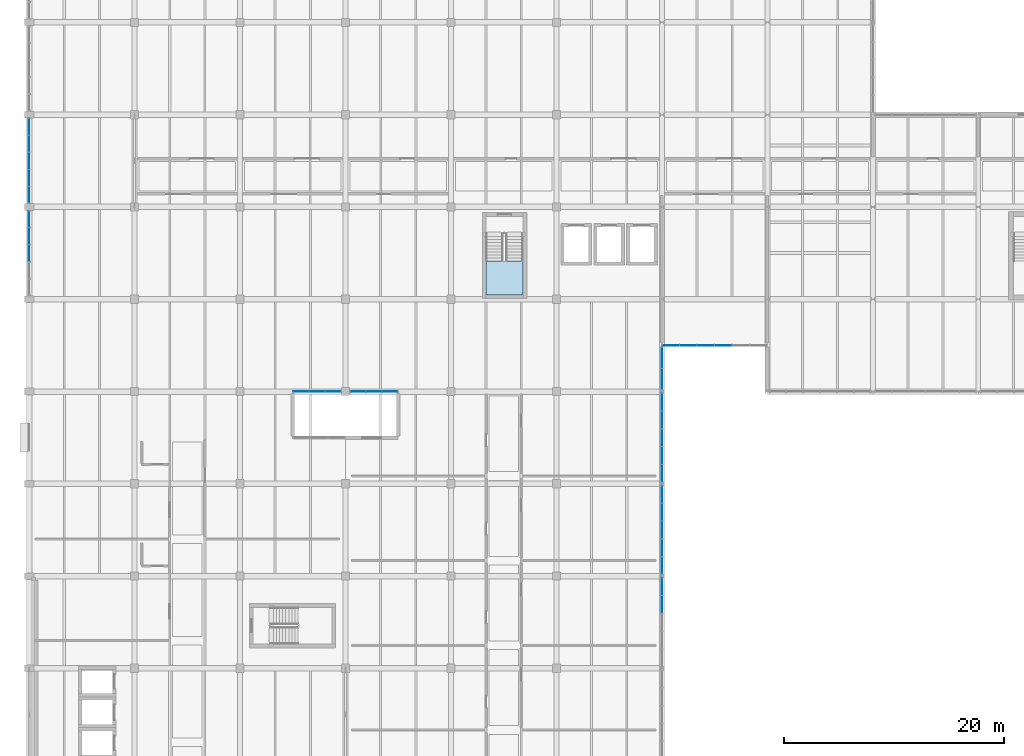
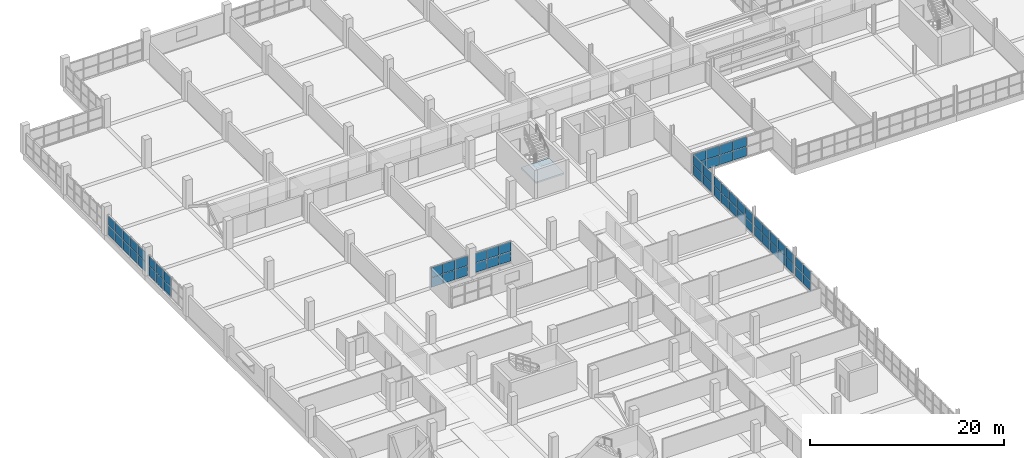
# One storey, part 94 of 147: 64 plates, 1 slab, 10 elements without a shape of their own.
"""IFC4 building model written with IfcOpenShell, lengths in metres."""

from ifc_helpers import new_model, si_unit, direction, frame, origin, origin_2d, place, context, subcontext, project, spatial, polyline, rectangle, outline, extrude, material, layer, layer_set, type_object, element, aggregate, save


model = new_model("IFC4")

# Units and contexts
model_context = context("Model", 3, precision=1e-05, world=origin(), true_north=direction((0.0, 1.0)))
body_context = subcontext(model_context, "Body", "Model", "MODEL_VIEW")
ifc_project = project(units=[si_unit("LENGTHUNIT", "METRE"), si_unit("AREAUNIT", "SQUARE_METRE"), si_unit("VOLUMEUNIT", "CUBIC_METRE"), si_unit("PLANEANGLEUNIT", "RADIAN"), si_unit("MASSUNIT", "GRAM", prefix="KILO")], contexts=[model_context])

# Site, building, storey
site_placement = place(None, origin())
site = spatial("IfcSite", under=ifc_project, at=site_placement, CompositionType="ELEMENT")
building_placement = place(site_placement, origin())
building = spatial("IfcBuilding", under=site, at=building_placement, Name="Oolite Switchyard Hospital", CompositionType="ELEMENT")
storey_placement = place(building_placement, frame((0.0, 0.0, 9.89990234375)))
storey = spatial("IfcBuildingStorey", under=building, at=storey_placement, Name="L02", CompositionType="ELEMENT", Elevation=9.89990234375)

# Curtain wall, plates
ifc_material_1 = material(Name="Thermally broken aluminum frame with laminated impact glazing", Category="aluminium")
curtain_wall_type_1 = type_object("IfcCurtainWallType", Name="CW-UNIT-84X36", PredefinedType="USERDEFINED", material=ifc_material_1)
curtain_wall_1_placement = place(storey_placement, origin())
curtain_wall_1 = element("IfcCurtainWall", 1, at=curtain_wall_1_placement, inside=storey, type_object=curtain_wall_type_1, Name="L02 Unitised Curtain Wall 250", ObjectType="UNITISED", PredefinedType="USERDEFINED")
ifc_material_2 = material(Name="Insulated fluoropolymer-coated aluminum spandrel panel", Category="aluminium")
ifc_layer_1 = layer(ifc_material_2, 0.054931640625)
ifc_layer_set_1 = layer_set([ifc_layer_1], Name="CW-PNL-SPN55")
plate_type_1 = type_object("IfcPlateType", Name="CW-PNL-SPN55", PredefinedType="CURTAIN_PANEL", material=ifc_layer_set_1)
plate_1_placement = place(storey_placement, frame((27.659912109375, 84.0, 0.06005859375), z_axis=(0.0, 0.0, 1.0), x_axis=(-1.0, 0.0, 0.0)))
plate_1 = element("IfcPlate", 2, at=plate_1_placement, type_object=plate_type_1, Name="CW-08 panel 1.1", PredefinedType="CURTAIN_PANEL", context=body_context, shape_type="SweptSolid", body=[
    extrude(rectangle(XDim=1.3798828125, YDim=0.054931640625, at=origin_2d()), origin(), (0.0, 0.0, 1.0), 1.195068359375),
])
plate_2_placement = place(storey_placement, frame((27.659912109375, 84.0, 1.31494140625), z_axis=(0.0, 0.0, 1.0), x_axis=(-1.0, 0.0, 0.0)))
plate_2 = element("IfcPlate", 3, at=plate_2_placement, type_object=plate_type_1, Name="CW-08 panel 1.2", PredefinedType="CURTAIN_PANEL", context=body_context, shape_type="SweptSolid", body=[
    extrude(rectangle(XDim=1.3798828125, YDim=0.054931640625, at=origin_2d()), origin(), (0.0, 0.0, 1.0), 1.195068359375),
])
plate_3_placement = place(storey_placement, frame((26.205078125, 84.0, 0.06005859375), z_axis=(0.0, 0.0, 1.0), x_axis=(-1.0, 0.0, 0.0)))
plate_3 = element("IfcPlate", 4, at=plate_3_placement, type_object=plate_type_1, Name="CW-08 panel 2.1", PredefinedType="CURTAIN_PANEL", context=body_context, shape_type="SweptSolid", body=[
    extrude(rectangle(XDim=1.409912109375, YDim=0.054931640625, at=origin_2d()), origin(), (0.0, 0.0, 1.0), 1.195068359375),
])
plate_4_placement = place(storey_placement, frame((26.205078125, 84.0, 1.31494140625), z_axis=(0.0, 0.0, 1.0), x_axis=(-1.0, 0.0, 0.0)))
plate_4 = element("IfcPlate", 5, at=plate_4_placement, type_object=plate_type_1, Name="CW-08 panel 2.2", PredefinedType="CURTAIN_PANEL", context=body_context, shape_type="SweptSolid", body=[
    extrude(rectangle(XDim=1.409912109375, YDim=0.054931640625, at=origin_2d()), origin(), (0.0, 0.0, 1.0), 1.195068359375),
])
plate_5_placement = place(storey_placement, frame((24.75, 84.0, 0.06005859375), z_axis=(0.0, 0.0, 1.0), x_axis=(-1.0, 0.0, 0.0)))
plate_5 = element("IfcPlate", 6, at=plate_5_placement, type_object=plate_type_1, Name="CW-08 panel 3.1", PredefinedType="CURTAIN_PANEL", context=body_context, shape_type="SweptSolid", body=[
    extrude(rectangle(XDim=1.3798828125, YDim=0.054931640625, at=origin_2d()), origin(), (0.0, 0.0, 1.0), 1.195068359375),
])
plate_6_placement = place(storey_placement, frame((24.75, 84.0, 1.31494140625), z_axis=(0.0, 0.0, 1.0), x_axis=(-1.0, 0.0, 0.0)))
plate_6 = element("IfcPlate", 7, at=plate_6_placement, type_object=plate_type_1, Name="CW-08 panel 3.2", PredefinedType="CURTAIN_PANEL", context=body_context, shape_type="SweptSolid", body=[
    extrude(rectangle(XDim=1.3798828125, YDim=0.054931640625, at=origin_2d()), origin(), (0.0, 0.0, 1.0), 1.195068359375),
])
aggregate(curtain_wall_1, [plate_1, plate_2, plate_3, plate_4, plate_5, plate_6])

curtain_wall_2_placement = place(storey_placement, origin())
curtain_wall_2 = element("IfcCurtainWall", 8, at=curtain_wall_2_placement, inside=storey, type_object=curtain_wall_type_1, Name="L02 Unitised Curtain Wall 287", ObjectType="UNITISED", PredefinedType="USERDEFINED")
plate_7_placement = place(storey_placement, frame((57.60009765625, 74.62890625, 0.0751953125), z_axis=(0.0, 0.0, 1.0), x_axis=(0.0, -1.0, 0.0)))
plate_7 = element("IfcPlate", 9, at=plate_7_placement, type_object=plate_type_1, Name="CW-08 panel 1.1", PredefinedType="CURTAIN_PANEL", context=body_context, shape_type="SweptSolid", body=[
    extrude(rectangle(XDim=1.518310546875, YDim=0.054931640625, at=origin_2d()), origin(), (0.0, 0.0, 1.0), 1.172607421875),
])
plate_8_placement = place(storey_placement, frame((57.60009765625, 74.62890625, 1.32275390625), z_axis=(0.0, 0.0, 1.0), x_axis=(0.0, -1.0, 0.0)))
plate_8 = element("IfcPlate", 10, at=plate_8_placement, type_object=plate_type_1, Name="CW-08 panel 1.2", PredefinedType="CURTAIN_PANEL", context=body_context, shape_type="SweptSolid", body=[
    extrude(rectangle(XDim=1.518310546875, YDim=0.054931640625, at=origin_2d()), origin(), (0.0, 0.0, 1.0), 1.172607421875),
])
plate_9_placement = place(storey_placement, frame((57.60009765625, 73.023193359375, 0.0751953125), z_axis=(0.0, 0.0, 1.0), x_axis=(0.0, -1.0, 0.0)))
plate_9 = element("IfcPlate", 11, at=plate_9_placement, type_object=plate_type_1, Name="CW-08 panel 2.1", PredefinedType="CURTAIN_PANEL", context=body_context, shape_type="SweptSolid", body=[
    extrude(rectangle(XDim=1.55322265625, YDim=0.054931640625, at=origin_2d()), origin(), (0.0, 0.0, 1.0), 1.172607421875),
])
plate_10_placement = place(storey_placement, frame((57.60009765625, 73.023193359375, 1.32275390625), z_axis=(0.0, 0.0, 1.0), x_axis=(0.0, -1.0, 0.0)))
plate_10 = element("IfcPlate", 12, at=plate_10_placement, type_object=plate_type_1, Name="CW-08 panel 2.2", PredefinedType="CURTAIN_PANEL", context=body_context, shape_type="SweptSolid", body=[
    extrude(rectangle(XDim=1.55322265625, YDim=0.054931640625, at=origin_2d()), origin(), (0.0, 0.0, 1.0), 1.172607421875),
])
plate_11_placement = place(storey_placement, frame((57.60009765625, 71.39990234375, 0.0751953125), z_axis=(0.0, 0.0, 1.0), x_axis=(0.0, -1.0, 0.0)))
plate_11 = element("IfcPlate", 13, at=plate_11_placement, type_object=plate_type_1, Name="CW-08 panel 3.1", PredefinedType="CURTAIN_PANEL", context=body_context, shape_type="SweptSolid", body=[
    extrude(rectangle(XDim=1.55322265625, YDim=0.054931640625, at=origin_2d()), origin(), (0.0, 0.0, 1.0), 1.172607421875),
])
plate_12_placement = place(storey_placement, frame((57.60009765625, 71.39990234375, 1.32275390625), z_axis=(0.0, 0.0, 1.0), x_axis=(0.0, -1.0, 0.0)))
plate_12 = element("IfcPlate", 14, at=plate_12_placement, type_object=plate_type_1, Name="CW-08 panel 3.2", PredefinedType="CURTAIN_PANEL", context=body_context, shape_type="SweptSolid", body=[
    extrude(rectangle(XDim=1.55322265625, YDim=0.054931640625, at=origin_2d()), origin(), (0.0, 0.0, 1.0), 1.172607421875),
])
plate_13_placement = place(storey_placement, frame((57.60009765625, 69.77685546875, 0.0751953125), z_axis=(0.0, 0.0, 1.0), x_axis=(0.0, -1.0, 0.0)))
plate_13 = element("IfcPlate", 15, at=plate_13_placement, type_object=plate_type_1, Name="CW-08 panel 4.1", PredefinedType="CURTAIN_PANEL", context=body_context, shape_type="SweptSolid", body=[
    extrude(rectangle(XDim=1.55322265625, YDim=0.054931640625, at=origin_2d()), origin(), (0.0, 0.0, 1.0), 1.172607421875),
])
plate_14_placement = place(storey_placement, frame((57.60009765625, 69.77685546875, 1.32275390625), z_axis=(0.0, 0.0, 1.0), x_axis=(0.0, -1.0, 0.0)))
plate_14 = element("IfcPlate", 16, at=plate_14_placement, type_object=plate_type_1, Name="CW-08 panel 4.2", PredefinedType="CURTAIN_PANEL", context=body_context, shape_type="SweptSolid", body=[
    extrude(rectangle(XDim=1.55322265625, YDim=0.054931640625, at=origin_2d()), origin(), (0.0, 0.0, 1.0), 1.172607421875),
])
plate_15_placement = place(storey_placement, frame((57.60009765625, 68.171142578125, 0.0751953125), z_axis=(0.0, 0.0, 1.0), x_axis=(0.0, -1.0, 0.0)))
plate_15 = element("IfcPlate", 17, at=plate_15_placement, type_object=plate_type_1, Name="CW-08 panel 5.1", PredefinedType="CURTAIN_PANEL", context=body_context, shape_type="SweptSolid", body=[
    extrude(rectangle(XDim=1.518310546875, YDim=0.054931640625, at=origin_2d()), origin(), (0.0, 0.0, 1.0), 1.172607421875),
])
plate_16_placement = place(storey_placement, frame((57.60009765625, 68.171142578125, 1.32275390625), z_axis=(0.0, 0.0, 1.0), x_axis=(0.0, -1.0, 0.0)))
plate_16 = element("IfcPlate", 18, at=plate_16_placement, type_object=plate_type_1, Name="CW-08 panel 5.2", PredefinedType="CURTAIN_PANEL", context=body_context, shape_type="SweptSolid", body=[
    extrude(rectangle(XDim=1.518310546875, YDim=0.054931640625, at=origin_2d()), origin(), (0.0, 0.0, 1.0), 1.172607421875),
])
aggregate(curtain_wall_2, [plate_7, plate_8, plate_9, plate_10, plate_11, plate_12, plate_13, plate_14, plate_15, plate_16])

curtain_wall_type_2 = type_object("IfcCurtainWallType", Name="CW-UNIT-96X36", PredefinedType="USERDEFINED", material=ifc_material_1)
curtain_wall_3_placement = place(storey_placement, origin())
curtain_wall_3 = element("IfcCurtainWall", 19, at=curtain_wall_3_placement, inside=storey, type_object=curtain_wall_type_2, Name="L02 Unitised Curtain Wall 257", ObjectType="UNITISED", PredefinedType="USERDEFINED")
ifc_layer_2 = layer(ifc_material_2, 0.070068359375)
ifc_layer_set_2 = layer_set([ifc_layer_2], Name="CW-PNL-SPN70")
plate_type_2 = type_object("IfcPlateType", Name="CW-PNL-SPN70", PredefinedType="CURTAIN_PANEL", material=ifc_layer_set_2)
plate_17_placement = place(storey_placement, frame((63.199951171875, 88.199951171875, 0.0751953125), z_axis=(0.0, 0.0, 1.0), x_axis=(-1.0, 0.0, 0.0)))
plate_17 = element("IfcPlate", 20, at=plate_17_placement, type_object=plate_type_2, Name="CW-03 panel 3.1", PredefinedType="CURTAIN_PANEL", context=body_context, shape_type="SweptSolid", body=[
    extrude(rectangle(XDim=1.530029296875, YDim=0.070068359375, at=origin_2d()), origin(), (0.0, 0.0, 1.0), 1.172607421875),
])
plate_18_placement = place(storey_placement, frame((63.199951171875, 88.199951171875, 1.32275390625), z_axis=(0.0, 0.0, 1.0), x_axis=(-1.0, 0.0, 0.0)))
plate_18 = element("IfcPlate", 21, at=plate_18_placement, type_object=plate_type_2, Name="CW-03 panel 3.2", PredefinedType="CURTAIN_PANEL", context=body_context, shape_type="SweptSolid", body=[
    extrude(rectangle(XDim=1.530029296875, YDim=0.070068359375, at=origin_2d()), origin(), (0.0, 0.0, 1.0), 1.172607421875),
])
plate_19_placement = place(storey_placement, frame((61.60009765625, 88.199951171875, 0.0751953125), z_axis=(0.0, 0.0, 1.0), x_axis=(-1.0, 0.0, 0.0)))
plate_19 = element("IfcPlate", 22, at=plate_19_placement, type_object=plate_type_2, Name="CW-03 panel 4.1", PredefinedType="CURTAIN_PANEL", context=body_context, shape_type="SweptSolid", body=[
    extrude(rectangle(XDim=1.530029296875, YDim=0.070068359375, at=origin_2d()), origin(), (0.0, 0.0, 1.0), 1.172607421875),
])
plate_20_placement = place(storey_placement, frame((61.60009765625, 88.199951171875, 1.32275390625), z_axis=(0.0, 0.0, 1.0), x_axis=(-1.0, 0.0, 0.0)))
plate_20 = element("IfcPlate", 23, at=plate_20_placement, type_object=plate_type_2, Name="CW-03 panel 4.2", PredefinedType="CURTAIN_PANEL", context=body_context, shape_type="SweptSolid", body=[
    extrude(rectangle(XDim=1.530029296875, YDim=0.070068359375, at=origin_2d()), origin(), (0.0, 0.0, 1.0), 1.172607421875),
])
plate_21_placement = place(storey_placement, frame((60.0, 88.199951171875, 0.0751953125), z_axis=(0.0, 0.0, 1.0), x_axis=(-1.0, 0.0, 0.0)))
plate_21 = element("IfcPlate", 24, at=plate_21_placement, type_object=plate_type_2, Name="CW-03 panel 5.1", PredefinedType="CURTAIN_PANEL", context=body_context, shape_type="SweptSolid", body=[
    extrude(rectangle(XDim=1.530029296875, YDim=0.070068359375, at=origin_2d()), origin(), (0.0, 0.0, 1.0), 1.172607421875),
])
plate_22_placement = place(storey_placement, frame((60.0, 88.199951171875, 1.32275390625), z_axis=(0.0, 0.0, 1.0), x_axis=(-1.0, 0.0, 0.0)))
plate_22 = element("IfcPlate", 25, at=plate_22_placement, type_object=plate_type_2, Name="CW-03 panel 5.2", PredefinedType="CURTAIN_PANEL", context=body_context, shape_type="SweptSolid", body=[
    extrude(rectangle(XDim=1.530029296875, YDim=0.070068359375, at=origin_2d()), origin(), (0.0, 0.0, 1.0), 1.172607421875),
])
plate_23_placement = place(storey_placement, frame((58.41748046875, 88.199951171875, 0.0751953125), z_axis=(0.0, 0.0, 1.0), x_axis=(-1.0, 0.0, 0.0)))
plate_23 = element("IfcPlate", 26, at=plate_23_placement, type_object=plate_type_2, Name="CW-03 panel 6.1", PredefinedType="CURTAIN_PANEL", context=body_context, shape_type="SweptSolid", body=[
    extrude(rectangle(XDim=1.4951171875, YDim=0.070068359375, at=origin_2d()), origin(), (0.0, 0.0, 1.0), 1.172607421875),
])
plate_24_placement = place(storey_placement, frame((58.41748046875, 88.199951171875, 1.32275390625), z_axis=(0.0, 0.0, 1.0), x_axis=(-1.0, 0.0, 0.0)))
plate_24 = element("IfcPlate", 27, at=plate_24_placement, type_object=plate_type_2, Name="CW-03 panel 6.2", PredefinedType="CURTAIN_PANEL", context=body_context, shape_type="SweptSolid", body=[
    extrude(rectangle(XDim=1.4951171875, YDim=0.070068359375, at=origin_2d()), origin(), (0.0, 0.0, 1.0), 1.172607421875),
])
aggregate(curtain_wall_3, [plate_17, plate_18, plate_19, plate_20, plate_21, plate_22, plate_23, plate_24])

curtain_wall_4_placement = place(storey_placement, origin())
curtain_wall_4 = element("IfcCurtainWall", 28, at=curtain_wall_4_placement, inside=storey, type_object=curtain_wall_type_1, Name="L02 Unitised Curtain Wall 251", ObjectType="UNITISED", PredefinedType="USERDEFINED")
ifc_material_3 = material(Name="Laminated hurricane-impact insulated glazing unit", Category="glass")
ifc_layer_3 = layer(ifc_material_3, 0.028076171875)
ifc_layer_set_3 = layer_set([ifc_layer_3], Name="CW-PNL-VIS28")
plate_type_3 = type_object("IfcPlateType", Name="CW-PNL-VIS28", PredefinedType="CURTAIN_PANEL", material=ifc_layer_set_3)
plate_25_placement = place(storey_placement, frame((32.847412109375, 84.0, 0.0751953125), z_axis=(0.0, 0.0, 1.0), x_axis=(-1.0, 0.0, 0.0)))
plate_25 = element("IfcPlate", 29, at=plate_25_placement, type_object=plate_type_3, Name="CW-08 panel 1.1", PredefinedType="CURTAIN_PANEL", context=body_context, shape_type="SweptSolid", body=[
    extrude(rectangle(XDim=1.364990234375, YDim=0.028076171875, at=origin_2d()), origin(), (0.0, 0.0, 1.0), 1.172607421875),
])
plate_26_placement = place(storey_placement, frame((32.847412109375, 84.0, 1.32275390625), z_axis=(0.0, 0.0, 1.0), x_axis=(-1.0, 0.0, 0.0)))
plate_26 = element("IfcPlate", 30, at=plate_26_placement, type_object=plate_type_3, Name="CW-08 panel 1.2", PredefinedType="CURTAIN_PANEL", context=body_context, shape_type="SweptSolid", body=[
    extrude(rectangle(XDim=1.364990234375, YDim=0.028076171875, at=origin_2d()), origin(), (0.0, 0.0, 1.0), 1.172607421875),
])
plate_27_placement = place(storey_placement, frame((31.39501953125, 84.0, 0.0751953125), z_axis=(0.0, 0.0, 1.0), x_axis=(-1.0, 0.0, 0.0)))
plate_27 = element("IfcPlate", 31, at=plate_27_placement, type_object=plate_type_3, Name="CW-08 panel 2.1", PredefinedType="CURTAIN_PANEL", context=body_context, shape_type="SweptSolid", body=[
    extrude(rectangle(XDim=1.39990234375, YDim=0.028076171875, at=origin_2d()), origin(), (0.0, 0.0, 1.0), 1.172607421875),
])
plate_28_placement = place(storey_placement, frame((31.39501953125, 84.0, 1.32275390625), z_axis=(0.0, 0.0, 1.0), x_axis=(-1.0, 0.0, 0.0)))
plate_28 = element("IfcPlate", 32, at=plate_28_placement, type_object=plate_type_3, Name="CW-08 panel 2.2", PredefinedType="CURTAIN_PANEL", context=body_context, shape_type="SweptSolid", body=[
    extrude(rectangle(XDim=1.39990234375, YDim=0.028076171875, at=origin_2d()), origin(), (0.0, 0.0, 1.0), 1.172607421875),
])
plate_29_placement = place(storey_placement, frame((29.9423828125, 84.0, 0.0751953125), z_axis=(0.0, 0.0, 1.0), x_axis=(-1.0, 0.0, 0.0)))
plate_29 = element("IfcPlate", 33, at=plate_29_placement, type_object=plate_type_3, Name="CW-08 panel 3.1", PredefinedType="CURTAIN_PANEL", context=body_context, shape_type="SweptSolid", body=[
    extrude(rectangle(XDim=1.364990234375, YDim=0.028076171875, at=origin_2d()), origin(), (0.0, 0.0, 1.0), 1.172607421875),
])
plate_30_placement = place(storey_placement, frame((29.9423828125, 84.0, 1.32275390625), z_axis=(0.0, 0.0, 1.0), x_axis=(-1.0, 0.0, 0.0)))
plate_30 = element("IfcPlate", 34, at=plate_30_placement, type_object=plate_type_3, Name="CW-08 panel 3.2", PredefinedType="CURTAIN_PANEL", context=body_context, shape_type="SweptSolid", body=[
    extrude(rectangle(XDim=1.364990234375, YDim=0.028076171875, at=origin_2d()), origin(), (0.0, 0.0, 1.0), 1.172607421875),
])
aggregate(curtain_wall_4, [plate_25, plate_26, plate_27, plate_28, plate_29, plate_30])

curtain_wall_5_placement = place(storey_placement, origin())
curtain_wall_5 = element("IfcCurtainWall", 35, at=curtain_wall_5_placement, inside=storey, type_object=curtain_wall_type_1, Name="L02 Unitised Curtain Wall 276", ObjectType="UNITISED", PredefinedType="USERDEFINED")
plate_31_placement = place(storey_placement, frame((0.0, 96.60009765625, 0.06005859375), z_axis=(0.0, 0.0, 1.0), x_axis=(0.0, 1.0, 0.0)))
plate_31 = element("IfcPlate", 36, at=plate_31_placement, type_object=plate_type_3, Name="CW-08 panel 3.1", PredefinedType="CURTAIN_PANEL", context=body_context, shape_type="SweptSolid", body=[
    extrude(rectangle(XDim=1.47900390625, YDim=0.028076171875, at=origin_2d()), origin(), (0.0, 0.0, 1.0), 1.195068359375),
])
plate_32_placement = place(storey_placement, frame((0.0, 96.60009765625, 1.31494140625), z_axis=(0.0, 0.0, 1.0), x_axis=(0.0, 1.0, 0.0)))
plate_32 = element("IfcPlate", 37, at=plate_32_placement, type_object=plate_type_3, Name="CW-08 panel 3.2", PredefinedType="CURTAIN_PANEL", context=body_context, shape_type="SweptSolid", body=[
    extrude(rectangle(XDim=1.47900390625, YDim=0.028076171875, at=origin_2d()), origin(), (0.0, 0.0, 1.0), 1.195068359375),
])
plate_33_placement = place(storey_placement, frame((0.0, 98.154052734375, 0.06005859375), z_axis=(0.0, 0.0, 1.0), x_axis=(0.0, 1.0, 0.0)))
plate_33 = element("IfcPlate", 38, at=plate_33_placement, type_object=plate_type_3, Name="CW-08 panel 4.1", PredefinedType="CURTAIN_PANEL", context=body_context, shape_type="SweptSolid", body=[
    extrude(rectangle(XDim=1.47900390625, YDim=0.028076171875, at=origin_2d()), origin(), (0.0, 0.0, 1.0), 1.195068359375),
])
plate_34_placement = place(storey_placement, frame((0.0, 98.154052734375, 1.31494140625), z_axis=(0.0, 0.0, 1.0), x_axis=(0.0, 1.0, 0.0)))
plate_34 = element("IfcPlate", 39, at=plate_34_placement, type_object=plate_type_3, Name="CW-08 panel 4.2", PredefinedType="CURTAIN_PANEL", context=body_context, shape_type="SweptSolid", body=[
    extrude(rectangle(XDim=1.47900390625, YDim=0.028076171875, at=origin_2d()), origin(), (0.0, 0.0, 1.0), 1.195068359375),
])
plate_35_placement = place(storey_placement, frame((0.0, 99.689208984375, 0.06005859375), z_axis=(0.0, 0.0, 1.0), x_axis=(0.0, 1.0, 0.0)))
plate_35 = element("IfcPlate", 40, at=plate_35_placement, type_object=plate_type_3, Name="CW-08 panel 5.1", PredefinedType="CURTAIN_PANEL", context=body_context, shape_type="SweptSolid", body=[
    extrude(rectangle(XDim=1.44140625, YDim=0.028076171875, at=origin_2d()), origin(), (0.0, 0.0, 1.0), 1.195068359375),
])
plate_36_placement = place(storey_placement, frame((0.0, 99.689208984375, 1.31494140625), z_axis=(0.0, 0.0, 1.0), x_axis=(0.0, 1.0, 0.0)))
plate_36 = element("IfcPlate", 41, at=plate_36_placement, type_object=plate_type_3, Name="CW-08 panel 5.2", PredefinedType="CURTAIN_PANEL", context=body_context, shape_type="SweptSolid", body=[
    extrude(rectangle(XDim=1.44140625, YDim=0.028076171875, at=origin_2d()), origin(), (0.0, 0.0, 1.0), 1.195068359375),
])
aggregate(curtain_wall_5, [plate_31, plate_32, plate_33, plate_34, plate_35, plate_36])

curtain_wall_6_placement = place(storey_placement, origin())
curtain_wall_6 = element("IfcCurtainWall", 42, at=curtain_wall_6_placement, inside=storey, type_object=curtain_wall_type_1, Name="L02 Unitised Curtain Wall 277", ObjectType="UNITISED", PredefinedType="USERDEFINED")
ifc_layer_4 = layer(ifc_material_3, 0.031982421875)
ifc_layer_set_4 = layer_set([ifc_layer_4], Name="CW-PNL-VIS32")
plate_type_4 = type_object("IfcPlateType", Name="CW-PNL-VIS32", PredefinedType="CURTAIN_PANEL", material=ifc_layer_set_4)
plate_37_placement = place(storey_placement, frame((0.0, 101.906982421875, 0.0751953125), z_axis=(0.0, 0.0, 1.0), x_axis=(0.0, 1.0, 0.0)))
plate_37 = element("IfcPlate", 43, at=plate_37_placement, type_object=plate_type_4, Name="CW-08 panel 1.1", PredefinedType="CURTAIN_PANEL", context=body_context, shape_type="SweptSolid", body=[
    extrude(rectangle(XDim=1.464111328125, YDim=0.031982421875, at=origin_2d()), origin(), (0.0, 0.0, 1.0), 1.172607421875),
])
plate_38_placement = place(storey_placement, frame((0.0, 101.906982421875, 1.32275390625), z_axis=(0.0, 0.0, 1.0), x_axis=(0.0, 1.0, 0.0)))
plate_38 = element("IfcPlate", 44, at=plate_38_placement, type_object=plate_type_4, Name="CW-08 panel 1.2", PredefinedType="CURTAIN_PANEL", context=body_context, shape_type="SweptSolid", body=[
    extrude(rectangle(XDim=1.464111328125, YDim=0.031982421875, at=origin_2d()), origin(), (0.0, 0.0, 1.0), 1.172607421875),
])
plate_39_placement = place(storey_placement, frame((0.0, 103.446044921875, 0.0751953125), z_axis=(0.0, 0.0, 1.0), x_axis=(0.0, 1.0, 0.0)))
plate_39 = element("IfcPlate", 45, at=plate_39_placement, type_object=plate_type_4, Name="CW-08 panel 2.1", PredefinedType="CURTAIN_PANEL", context=body_context, shape_type="SweptSolid", body=[
    extrude(rectangle(XDim=1.493896484375, YDim=0.031982421875, at=origin_2d()), origin(), (0.0, 0.0, 1.0), 1.172607421875),
])
plate_40_placement = place(storey_placement, frame((0.0, 103.446044921875, 1.32275390625), z_axis=(0.0, 0.0, 1.0), x_axis=(0.0, 1.0, 0.0)))
plate_40 = element("IfcPlate", 46, at=plate_40_placement, type_object=plate_type_4, Name="CW-08 panel 2.2", PredefinedType="CURTAIN_PANEL", context=body_context, shape_type="SweptSolid", body=[
    extrude(rectangle(XDim=1.493896484375, YDim=0.031982421875, at=origin_2d()), origin(), (0.0, 0.0, 1.0), 1.172607421875),
])
plate_41_placement = place(storey_placement, frame((0.0, 105.0, 0.0751953125), z_axis=(0.0, 0.0, 1.0), x_axis=(0.0, 1.0, 0.0)))
plate_41 = element("IfcPlate", 47, at=plate_41_placement, type_object=plate_type_4, Name="CW-08 panel 3.1", PredefinedType="CURTAIN_PANEL", context=body_context, shape_type="SweptSolid", body=[
    extrude(rectangle(XDim=1.493896484375, YDim=0.031982421875, at=origin_2d()), origin(), (0.0, 0.0, 1.0), 1.172607421875),
])
plate_42_placement = place(storey_placement, frame((0.0, 105.0, 1.32275390625), z_axis=(0.0, 0.0, 1.0), x_axis=(0.0, 1.0, 0.0)))
plate_42 = element("IfcPlate", 48, at=plate_42_placement, type_object=plate_type_4, Name="CW-08 panel 3.2", PredefinedType="CURTAIN_PANEL", context=body_context, shape_type="SweptSolid", body=[
    extrude(rectangle(XDim=1.493896484375, YDim=0.031982421875, at=origin_2d()), origin(), (0.0, 0.0, 1.0), 1.172607421875),
])
plate_43_placement = place(storey_placement, frame((0.0, 106.553955078125, 0.0751953125), z_axis=(0.0, 0.0, 1.0), x_axis=(0.0, 1.0, 0.0)))
plate_43 = element("IfcPlate", 49, at=plate_43_placement, type_object=plate_type_4, Name="CW-08 panel 4.1", PredefinedType="CURTAIN_PANEL", context=body_context, shape_type="SweptSolid", body=[
    extrude(rectangle(XDim=1.493896484375, YDim=0.031982421875, at=origin_2d()), origin(), (0.0, 0.0, 1.0), 1.172607421875),
])
plate_44_placement = place(storey_placement, frame((0.0, 106.553955078125, 1.32275390625), z_axis=(0.0, 0.0, 1.0), x_axis=(0.0, 1.0, 0.0)))
plate_44 = element("IfcPlate", 50, at=plate_44_placement, type_object=plate_type_4, Name="CW-08 panel 4.2", PredefinedType="CURTAIN_PANEL", context=body_context, shape_type="SweptSolid", body=[
    extrude(rectangle(XDim=1.493896484375, YDim=0.031982421875, at=origin_2d()), origin(), (0.0, 0.0, 1.0), 1.172607421875),
])
plate_45_placement = place(storey_placement, frame((0.0, 108.093017578125, 0.0751953125), z_axis=(0.0, 0.0, 1.0), x_axis=(0.0, 1.0, 0.0)))
plate_45 = element("IfcPlate", 51, at=plate_45_placement, type_object=plate_type_4, Name="CW-08 panel 5.1", PredefinedType="CURTAIN_PANEL", context=body_context, shape_type="SweptSolid", body=[
    extrude(rectangle(XDim=1.464111328125, YDim=0.031982421875, at=origin_2d()), origin(), (0.0, 0.0, 1.0), 1.172607421875),
])
plate_46_placement = place(storey_placement, frame((0.0, 108.093017578125, 1.32275390625), z_axis=(0.0, 0.0, 1.0), x_axis=(0.0, 1.0, 0.0)))
plate_46 = element("IfcPlate", 52, at=plate_46_placement, type_object=plate_type_4, Name="CW-08 panel 5.2", PredefinedType="CURTAIN_PANEL", context=body_context, shape_type="SweptSolid", body=[
    extrude(rectangle(XDim=1.464111328125, YDim=0.031982421875, at=origin_2d()), origin(), (0.0, 0.0, 1.0), 1.172607421875),
])
aggregate(curtain_wall_6, [plate_37, plate_38, plate_39, plate_40, plate_41, plate_42, plate_43, plate_44, plate_45, plate_46])

curtain_wall_7_placement = place(storey_placement, origin())
curtain_wall_7 = element("IfcCurtainWall", 53, at=curtain_wall_7_placement, inside=storey, type_object=curtain_wall_type_1, Name="L02 Unitised Curtain Wall 285", ObjectType="UNITISED", PredefinedType="USERDEFINED")
ifc_layer_5 = layer(ifc_material_3, 0.035888671875)
ifc_layer_set_5 = layer_set([ifc_layer_5], Name="CW-PNL-VIS36")
plate_type_5 = type_object("IfcPlateType", Name="CW-PNL-VIS36", PredefinedType="CURTAIN_PANEL", material=ifc_layer_set_5)
plate_47_placement = place(storey_placement, frame((57.60009765625, 87.046630859375, 0.0751953125), z_axis=(0.0, 0.0, 1.0), x_axis=(0.0, -1.0, 0.0)))
plate_47 = element("IfcPlate", 54, at=plate_47_placement, type_object=plate_type_5, Name="CW-08 panel 1.1", PredefinedType="CURTAIN_PANEL", context=body_context, shape_type="SweptSolid", body=[
    extrude(rectangle(XDim=1.83642578125, YDim=0.035888671875, at=origin_2d()), origin(), (0.0, 0.0, 1.0), 1.172607421875),
])
plate_48_placement = place(storey_placement, frame((57.60009765625, 87.046630859375, 1.32275390625), z_axis=(0.0, 0.0, 1.0), x_axis=(0.0, -1.0, 0.0)))
plate_48 = element("IfcPlate", 55, at=plate_48_placement, type_object=plate_type_5, Name="CW-08 panel 1.2", PredefinedType="CURTAIN_PANEL", context=body_context, shape_type="SweptSolid", body=[
    extrude(rectangle(XDim=1.83642578125, YDim=0.035888671875, at=origin_2d()), origin(), (0.0, 0.0, 1.0), 1.172607421875),
])
plate_49_placement = place(storey_placement, frame((57.60009765625, 85.13525390625, 0.0751953125), z_axis=(0.0, 0.0, 1.0), x_axis=(0.0, -1.0, 0.0)))
plate_49 = element("IfcPlate", 56, at=plate_49_placement, type_object=plate_type_5, Name="CW-08 panel 2.1", PredefinedType="CURTAIN_PANEL", context=body_context, shape_type="SweptSolid", body=[
    extrude(rectangle(XDim=1.83642578125, YDim=0.035888671875, at=origin_2d()), origin(), (0.0, 0.0, 1.0), 1.172607421875),
])
plate_50_placement = place(storey_placement, frame((57.60009765625, 85.13525390625, 1.32275390625), z_axis=(0.0, 0.0, 1.0), x_axis=(0.0, -1.0, 0.0)))
plate_50 = element("IfcPlate", 57, at=plate_50_placement, type_object=plate_type_5, Name="CW-08 panel 2.2", PredefinedType="CURTAIN_PANEL", context=body_context, shape_type="SweptSolid", body=[
    extrude(rectangle(XDim=1.83642578125, YDim=0.035888671875, at=origin_2d()), origin(), (0.0, 0.0, 1.0), 1.172607421875),
])
aggregate(curtain_wall_7, [plate_47, plate_48, plate_49, plate_50])

curtain_wall_8_placement = place(storey_placement, origin())
curtain_wall_8 = element("IfcCurtainWall", 58, at=curtain_wall_8_placement, inside=storey, type_object=curtain_wall_type_1, Name="L02 Unitised Curtain Wall 281", ObjectType="UNITISED", PredefinedType="USERDEFINED")
ifc_layer_6 = layer(ifc_material_3, 0.0419921875)
ifc_layer_set_6 = layer_set([ifc_layer_6], Name="CW-PNL-VIS42")
plate_type_6 = type_object("IfcPlateType", Name="CW-PNL-VIS42", PredefinedType="CURTAIN_PANEL", material=ifc_layer_set_6)
plate_51_placement = place(storey_placement, frame((57.60009765625, 66.22900390625, 0.0751953125), z_axis=(0.0, 0.0, 1.0), x_axis=(0.0, -1.0, 0.0)))
plate_51 = element("IfcPlate", 59, at=plate_51_placement, type_object=plate_type_6, Name="CW-08 panel 1.1", PredefinedType="CURTAIN_PANEL", context=body_context, shape_type="SweptSolid", body=[
    extrude(rectangle(XDim=1.518310546875, YDim=0.0419921875, at=origin_2d()), origin(), (0.0, 0.0, 1.0), 1.172607421875),
])
plate_52_placement = place(storey_placement, frame((57.60009765625, 66.22900390625, 1.32275390625), z_axis=(0.0, 0.0, 1.0), x_axis=(0.0, -1.0, 0.0)))
plate_52 = element("IfcPlate", 60, at=plate_52_placement, type_object=plate_type_6, Name="CW-08 panel 1.2", PredefinedType="CURTAIN_PANEL", context=body_context, shape_type="SweptSolid", body=[
    extrude(rectangle(XDim=1.518310546875, YDim=0.0419921875, at=origin_2d()), origin(), (0.0, 0.0, 1.0), 1.172607421875),
])
plate_53_placement = place(storey_placement, frame((57.60009765625, 64.623291015625, 0.0751953125), z_axis=(0.0, 0.0, 1.0), x_axis=(0.0, -1.0, 0.0)))
plate_53 = element("IfcPlate", 61, at=plate_53_placement, type_object=plate_type_6, Name="CW-08 panel 2.1", PredefinedType="CURTAIN_PANEL", context=body_context, shape_type="SweptSolid", body=[
    extrude(rectangle(XDim=1.55322265625, YDim=0.0419921875, at=origin_2d()), origin(), (0.0, 0.0, 1.0), 1.172607421875),
])
plate_54_placement = place(storey_placement, frame((57.60009765625, 64.623291015625, 1.32275390625), z_axis=(0.0, 0.0, 1.0), x_axis=(0.0, -1.0, 0.0)))
plate_54 = element("IfcPlate", 62, at=plate_54_placement, type_object=plate_type_6, Name="CW-08 panel 2.2", PredefinedType="CURTAIN_PANEL", context=body_context, shape_type="SweptSolid", body=[
    extrude(rectangle(XDim=1.55322265625, YDim=0.0419921875, at=origin_2d()), origin(), (0.0, 0.0, 1.0), 1.172607421875),
])
aggregate(curtain_wall_8, [plate_51, plate_52, plate_53, plate_54])

curtain_wall_9_placement = place(storey_placement, origin())
curtain_wall_9 = element("IfcCurtainWall", 63, at=curtain_wall_9_placement, inside=storey, type_object=curtain_wall_type_1, Name="L02 Unitised Curtain Wall 286", ObjectType="UNITISED", PredefinedType="USERDEFINED")
plate_55_placement = place(storey_placement, frame((57.60009765625, 83.031494140625, 0.06005859375), z_axis=(0.0, 0.0, 1.0), x_axis=(0.0, -1.0, 0.0)))
plate_55 = element("IfcPlate", 64, at=plate_55_placement, type_object=plate_type_6, Name="CW-08 panel 1.1", PredefinedType="CURTAIN_PANEL", context=body_context, shape_type="SweptSolid", body=[
    extrude(rectangle(XDim=1.533203125, YDim=0.0419921875, at=origin_2d()), origin(), (0.0, 0.0, 1.0), 1.195068359375),
])
plate_56_placement = place(storey_placement, frame((57.60009765625, 83.031494140625, 1.31494140625), z_axis=(0.0, 0.0, 1.0), x_axis=(0.0, -1.0, 0.0)))
plate_56 = element("IfcPlate", 65, at=plate_56_placement, type_object=plate_type_6, Name="CW-08 panel 1.2", PredefinedType="CURTAIN_PANEL", context=body_context, shape_type="SweptSolid", body=[
    extrude(rectangle(XDim=1.533203125, YDim=0.0419921875, at=origin_2d()), origin(), (0.0, 0.0, 1.0), 1.195068359375),
])
plate_57_placement = place(storey_placement, frame((57.60009765625, 81.423095703125, 0.06005859375), z_axis=(0.0, 0.0, 1.0), x_axis=(0.0, -1.0, 0.0)))
plate_57 = element("IfcPlate", 66, at=plate_57_placement, type_object=plate_type_6, Name="CW-08 panel 2.1", PredefinedType="CURTAIN_PANEL", context=body_context, shape_type="SweptSolid", body=[
    extrude(rectangle(XDim=1.563232421875, YDim=0.0419921875, at=origin_2d()), origin(), (0.0, 0.0, 1.0), 1.195068359375),
])
plate_58_placement = place(storey_placement, frame((57.60009765625, 81.423095703125, 1.31494140625), z_axis=(0.0, 0.0, 1.0), x_axis=(0.0, -1.0, 0.0)))
plate_58 = element("IfcPlate", 67, at=plate_58_placement, type_object=plate_type_6, Name="CW-08 panel 2.2", PredefinedType="CURTAIN_PANEL", context=body_context, shape_type="SweptSolid", body=[
    extrude(rectangle(XDim=1.563232421875, YDim=0.0419921875, at=origin_2d()), origin(), (0.0, 0.0, 1.0), 1.195068359375),
])
plate_59_placement = place(storey_placement, frame((57.60009765625, 79.800048828125, 0.06005859375), z_axis=(0.0, 0.0, 1.0), x_axis=(0.0, -1.0, 0.0)))
plate_59 = element("IfcPlate", 68, at=plate_59_placement, type_object=plate_type_6, Name="CW-08 panel 3.1", PredefinedType="CURTAIN_PANEL", context=body_context, shape_type="SweptSolid", body=[
    extrude(rectangle(XDim=1.563232421875, YDim=0.0419921875, at=origin_2d()), origin(), (0.0, 0.0, 1.0), 1.195068359375),
])
plate_60_placement = place(storey_placement, frame((57.60009765625, 79.800048828125, 1.31494140625), z_axis=(0.0, 0.0, 1.0), x_axis=(0.0, -1.0, 0.0)))
plate_60 = element("IfcPlate", 69, at=plate_60_placement, type_object=plate_type_6, Name="CW-08 panel 3.2", PredefinedType="CURTAIN_PANEL", context=body_context, shape_type="SweptSolid", body=[
    extrude(rectangle(XDim=1.563232421875, YDim=0.0419921875, at=origin_2d()), origin(), (0.0, 0.0, 1.0), 1.195068359375),
])
plate_61_placement = place(storey_placement, frame((57.60009765625, 78.1767578125, 0.06005859375), z_axis=(0.0, 0.0, 1.0), x_axis=(0.0, -1.0, 0.0)))
plate_61 = element("IfcPlate", 70, at=plate_61_placement, type_object=plate_type_6, Name="CW-08 panel 4.1", PredefinedType="CURTAIN_PANEL", context=body_context, shape_type="SweptSolid", body=[
    extrude(rectangle(XDim=1.563232421875, YDim=0.0419921875, at=origin_2d()), origin(), (0.0, 0.0, 1.0), 1.195068359375),
])
plate_62_placement = place(storey_placement, frame((57.60009765625, 78.1767578125, 1.31494140625), z_axis=(0.0, 0.0, 1.0), x_axis=(0.0, -1.0, 0.0)))
plate_62 = element("IfcPlate", 71, at=plate_62_placement, type_object=plate_type_6, Name="CW-08 panel 4.2", PredefinedType="CURTAIN_PANEL", context=body_context, shape_type="SweptSolid", body=[
    extrude(rectangle(XDim=1.563232421875, YDim=0.0419921875, at=origin_2d()), origin(), (0.0, 0.0, 1.0), 1.195068359375),
])
plate_63_placement = place(storey_placement, frame((57.60009765625, 76.568603515625, 0.06005859375), z_axis=(0.0, 0.0, 1.0), x_axis=(0.0, -1.0, 0.0)))
plate_63 = element("IfcPlate", 72, at=plate_63_placement, type_object=plate_type_6, Name="CW-08 panel 5.1", PredefinedType="CURTAIN_PANEL", context=body_context, shape_type="SweptSolid", body=[
    extrude(rectangle(XDim=1.533203125, YDim=0.0419921875, at=origin_2d()), origin(), (0.0, 0.0, 1.0), 1.195068359375),
])
plate_64_placement = place(storey_placement, frame((57.60009765625, 76.568603515625, 1.31494140625), z_axis=(0.0, 0.0, 1.0), x_axis=(0.0, -1.0, 0.0)))
plate_64 = element("IfcPlate", 73, at=plate_64_placement, type_object=plate_type_6, Name="CW-08 panel 5.2", PredefinedType="CURTAIN_PANEL", context=body_context, shape_type="SweptSolid", body=[
    extrude(rectangle(XDim=1.533203125, YDim=0.0419921875, at=origin_2d()), origin(), (0.0, 0.0, 1.0), 1.195068359375),
])
aggregate(curtain_wall_9, [plate_55, plate_56, plate_57, plate_58, plate_59, plate_60, plate_61, plate_62, plate_63, plate_64])

# Stair, slab
ifc_material_4 = material(Name="Concrete C40/50", Category="concrete")
stair_type = type_object("IfcStairType", Name="STR-DL-156-R20", PredefinedType="HALF_TURN_STAIR", material=ifc_material_4)
stair_placement = place(storey_placement, origin())
stair = element("IfcStair", 74, at=stair_placement, inside=storey, type_object=stair_type, Name="L02 Exit Stair ST-07", PredefinedType="HALF_TURN_STAIR")
ifc_layer_7 = layer(ifc_material_4, 0.199951171875)
ifc_layer_set_7 = layer_set([ifc_layer_7], Name="SLB-LND-200")
slab_type = type_object("IfcSlabType", Name="SLB-LND-200", PredefinedType="LANDING", material=ifc_layer_set_7)
slab_placement = place(storey_placement, frame((0.0, 0.0, 1.60009765625)))
slab = element("IfcSlab", 75, at=slab_placement, type_object=slab_type, Name="ST-07 landing 1", PredefinedType="LANDING", context=body_context, shape_type="SweptSolid", body=[
    extrude(outline(polyline([(41.60009765625, 95.8701171875), (41.60009765625, 92.800048828125), (44.9599609375, 92.800048828125), (44.9599609375, 95.8701171875), (41.60009765625, 95.8701171875)])), origin(), (0.0, 0.0, 1.0), 0.199951171875),
])
aggregate(stair, [slab])

save(model, "model.ifc")
